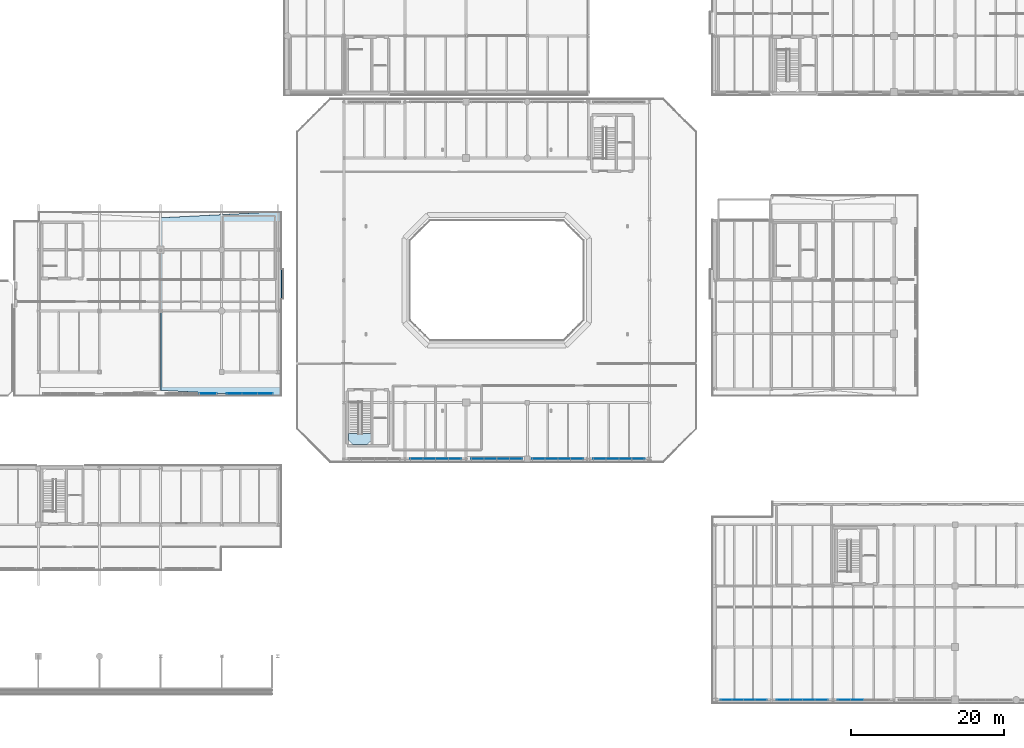
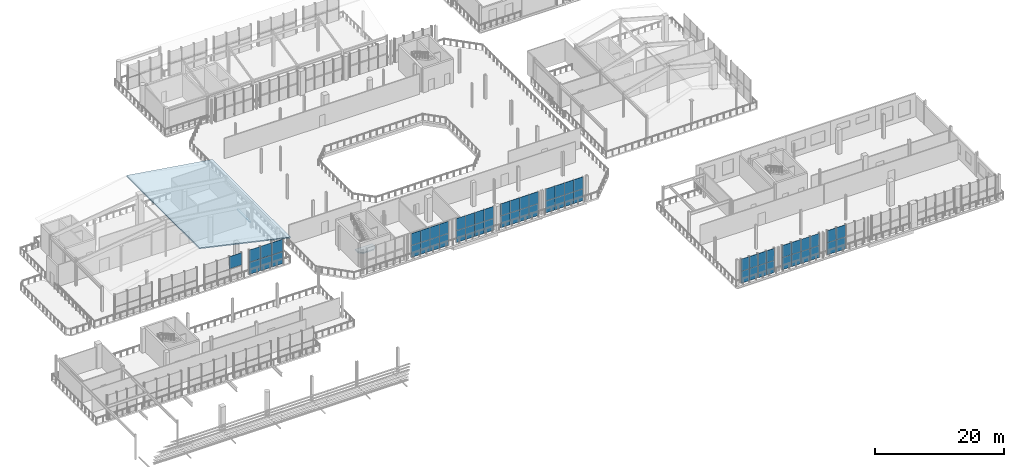
# One storey, part 43 of 70: 59 plates, 3 slabs, 10 elements without a shape of their own.
"""IFC4 building model written with IfcOpenShell, lengths in metres."""

from ifc_helpers import new_model, si_unit, direction, frame, origin, origin_2d, place, context, subcontext, project, spatial, polyline, rectangle, outline, extrude, material, layer, layer_set, type_object, element, aggregate, save


model = new_model("IFC4")

# Units and contexts
model_context = context("Model", 3, precision=1e-05, world=origin(), true_north=direction((0.0, 1.0)))
body_context = subcontext(model_context, "Body", "Model", "MODEL_VIEW")
ifc_project = project(units=[si_unit("LENGTHUNIT", "METRE"), si_unit("AREAUNIT", "SQUARE_METRE"), si_unit("VOLUMEUNIT", "CUBIC_METRE"), si_unit("PLANEANGLEUNIT", "RADIAN"), si_unit("MASSUNIT", "GRAM", prefix="KILO")], contexts=[model_context])

# Site, building, storey
site_placement = place(None, origin())
site = spatial("IfcSite", under=ifc_project, at=site_placement, CompositionType="ELEMENT")
building_placement = place(site_placement, origin())
building = spatial("IfcBuilding", under=site, at=building_placement, Name="Brisemont Oceanarium", CompositionType="ELEMENT")
storey_placement = place(building_placement, frame((0.0, 0.0, 10.199951171875)))
storey = spatial("IfcBuildingStorey", under=building, at=storey_placement, Name="L02", CompositionType="ELEMENT", Elevation=10.199951171875)

# Curtain wall, plate
ifc_material_1 = material(Name="Anodized Extruded Aluminum 6063-T6", Category="aluminium")
curtain_wall_type_1 = type_object("IfcCurtainWallType", Name="CW-GAL-54X42", PredefinedType="NOTDEFINED", material=ifc_material_1)
curtain_wall_1_placement = place(storey_placement, origin())
curtain_wall_1 = element("IfcCurtainWall", 1, at=curtain_wall_1_placement, inside=storey, type_object=curtain_wall_type_1, Name="CW-14 curtain wall CW-V5W-S-L02-03", PredefinedType="NOTDEFINED")
ifc_material_2 = material(Name="Ceramic-Fritted Spandrel Glass", Category="glass")
ifc_layer_1 = layer(ifc_material_2, 0.030029296875)
ifc_layer_set_1 = layer_set([ifc_layer_1], Name="Ceramic-Fritted Spandrel Glass")
plate_type_1 = type_object("IfcPlateType", Name="PLT-CWP-S4", PredefinedType="CURTAIN_PANEL", material=ifc_layer_set_1)
plate_1_placement = place(storey_placement, frame((46.2333984375, 41.199951171875, 2.30126953125), z_axis=(0.0, 0.0, 1.0), x_axis=(1.0, 0.0, 0.0)))
plate_1 = element("IfcPlate", 2, at=plate_1_placement, type_object=plate_type_1, Name="CW-V5W-S-L02-03 panel 3.2", PredefinedType="CURTAIN_PANEL", context=body_context, shape_type="SweptSolid", body=[
    extrude(rectangle(XDim=2.230224609375, YDim=0.030029296875, at=origin_2d()), origin(), (0.0, 0.0, 1.0), 2.297119140625),
])
aggregate(curtain_wall_1, [plate_1])

# Curtain wall, plates
curtain_wall_2_placement = place(storey_placement, origin())
curtain_wall_2 = element("IfcCurtainWall", 3, at=curtain_wall_2_placement, inside=storey, type_object=curtain_wall_type_1, Name="CW-14 curtain wall CW-V5W-S-L02-04", PredefinedType="NOTDEFINED")
plate_2_placement = place(storey_placement, frame((49.658203125, 41.199951171875, 0.00146484375), z_axis=(0.0, 0.0, 1.0), x_axis=(1.0, 0.0, 0.0)))
plate_2 = element("IfcPlate", 4, at=plate_2_placement, type_object=plate_type_1, Name="CW-V5W-S-L02-04 panel 1.1", PredefinedType="CURTAIN_PANEL", context=body_context, shape_type="SweptSolid", body=[
    extrude(rectangle(XDim=2.013671875, YDim=0.030029296875, at=origin_2d()), origin(), (0.0, 0.0, 1.0), 2.297119140625),
])
plate_3_placement = place(storey_placement, frame((49.658203125, 41.199951171875, 2.30126953125), z_axis=(0.0, 0.0, 1.0), x_axis=(1.0, 0.0, 0.0)))
plate_3 = element("IfcPlate", 5, at=plate_3_placement, type_object=plate_type_1, Name="CW-V5W-S-L02-04 panel 1.2", PredefinedType="CURTAIN_PANEL", context=body_context, shape_type="SweptSolid", body=[
    extrude(rectangle(XDim=2.013671875, YDim=0.030029296875, at=origin_2d()), origin(), (0.0, 0.0, 1.0), 2.297119140625),
])
plate_4_placement = place(storey_placement, frame((51.675048828125, 41.199951171875, 0.00146484375), z_axis=(0.0, 0.0, 1.0), x_axis=(1.0, 0.0, 0.0)))
plate_4 = element("IfcPlate", 6, at=plate_4_placement, type_object=plate_type_1, Name="CW-V5W-S-L02-04 panel 2.1", PredefinedType="CURTAIN_PANEL", context=body_context, shape_type="SweptSolid", body=[
    extrude(rectangle(XDim=2.013671875, YDim=0.030029296875, at=origin_2d()), origin(), (0.0, 0.0, 1.0), 2.297119140625),
])
plate_5_placement = place(storey_placement, frame((51.675048828125, 41.199951171875, 2.30126953125), z_axis=(0.0, 0.0, 1.0), x_axis=(1.0, 0.0, 0.0)))
plate_5 = element("IfcPlate", 7, at=plate_5_placement, type_object=plate_type_1, Name="CW-V5W-S-L02-04 panel 2.2", PredefinedType="CURTAIN_PANEL", context=body_context, shape_type="SweptSolid", body=[
    extrude(rectangle(XDim=2.013671875, YDim=0.030029296875, at=origin_2d()), origin(), (0.0, 0.0, 1.0), 2.297119140625),
])
plate_6_placement = place(storey_placement, frame((53.691650390625, 41.199951171875, 0.00146484375), z_axis=(0.0, 0.0, 1.0), x_axis=(1.0, 0.0, 0.0)))
plate_6 = element("IfcPlate", 8, at=plate_6_placement, type_object=plate_type_1, Name="CW-V5W-S-L02-04 panel 3.1", PredefinedType="CURTAIN_PANEL", context=body_context, shape_type="SweptSolid", body=[
    extrude(rectangle(XDim=2.013671875, YDim=0.030029296875, at=origin_2d()), origin(), (0.0, 0.0, 1.0), 2.297119140625),
])
plate_7_placement = place(storey_placement, frame((53.691650390625, 41.199951171875, 2.30126953125), z_axis=(0.0, 0.0, 1.0), x_axis=(1.0, 0.0, 0.0)))
plate_7 = element("IfcPlate", 9, at=plate_7_placement, type_object=plate_type_1, Name="CW-V5W-S-L02-04 panel 3.2", PredefinedType="CURTAIN_PANEL", context=body_context, shape_type="SweptSolid", body=[
    extrude(rectangle(XDim=2.013671875, YDim=0.030029296875, at=origin_2d()), origin(), (0.0, 0.0, 1.0), 2.297119140625),
])
aggregate(curtain_wall_2, [plate_2, plate_3, plate_4, plate_5, plate_6, plate_7])

ifc_material_3 = material(Name="Anodized Extruded Aluminum 6063-T6", Category="aluminium")
curtain_wall_type_2 = type_object("IfcCurtainWallType", Name="CW-ROT-69X45", PredefinedType="NOTDEFINED", material=ifc_material_3)
curtain_wall_3_placement = place(storey_placement, origin())
curtain_wall_3 = element("IfcCurtainWall", 10, at=curtain_wall_3_placement, inside=storey, type_object=curtain_wall_type_2, Name="CW-02 curtain wall CW-V1-S-L02-02", PredefinedType="NOTDEFINED")
ifc_material_4 = material(Name="Insulated Low-E Laminated Glass", Category="glass")
ifc_layer_2 = layer(ifc_material_4, 0.028076171875)
ifc_layer_set_2 = layer_set([ifc_layer_2], Name="Insulated Low-E Laminated Glass")
plate_type_2 = type_object("IfcPlateType", Name="PLT-CWP-V2", PredefinedType="CURTAIN_PANEL", material=ifc_layer_set_2)
plate_8_placement = place(storey_placement, frame((73.487548828125, 32.64990234375, 0.00146484375), z_axis=(0.0, 0.0, 1.0), x_axis=(1.0, 0.0, 0.0)))
plate_8 = element("IfcPlate", 11, at=plate_8_placement, type_object=plate_type_2, Name="CW-V1-S-L02-02 panel 1.1", PredefinedType="CURTAIN_PANEL", context=body_context, shape_type="SweptSolid", body=[
    extrude(rectangle(XDim=1.672119140625, YDim=0.028076171875, at=origin_2d()), origin(), (0.0, 0.0, 1.0), 2.257080078125),
])
plate_9_placement = place(storey_placement, frame((73.487548828125, 32.64990234375, 2.26171875), z_axis=(0.0, 0.0, 1.0), x_axis=(1.0, 0.0, 0.0)))
plate_9 = element("IfcPlate", 12, at=plate_9_placement, type_object=plate_type_2, Name="CW-V1-S-L02-02 panel 1.2", PredefinedType="CURTAIN_PANEL", context=body_context, shape_type="SweptSolid", body=[
    extrude(rectangle(XDim=1.672119140625, YDim=0.028076171875, at=origin_2d()), origin(), (0.0, 0.0, 1.0), 2.257080078125),
])
plate_10_placement = place(storey_placement, frame((75.16259765625, 32.64990234375, 0.00146484375), z_axis=(0.0, 0.0, 1.0), x_axis=(1.0, 0.0, 0.0)))
plate_10 = element("IfcPlate", 13, at=plate_10_placement, type_object=plate_type_2, Name="CW-V1-S-L02-02 panel 2.1", PredefinedType="CURTAIN_PANEL", context=body_context, shape_type="SweptSolid", body=[
    extrude(rectangle(XDim=1.672119140625, YDim=0.028076171875, at=origin_2d()), origin(), (0.0, 0.0, 1.0), 2.257080078125),
])
plate_11_placement = place(storey_placement, frame((75.16259765625, 32.64990234375, 2.26171875), z_axis=(0.0, 0.0, 1.0), x_axis=(1.0, 0.0, 0.0)))
plate_11 = element("IfcPlate", 14, at=plate_11_placement, type_object=plate_type_2, Name="CW-V1-S-L02-02 panel 2.2", PredefinedType="CURTAIN_PANEL", context=body_context, shape_type="SweptSolid", body=[
    extrude(rectangle(XDim=1.672119140625, YDim=0.028076171875, at=origin_2d()), origin(), (0.0, 0.0, 1.0), 2.257080078125),
])
plate_12_placement = place(storey_placement, frame((76.83740234375, 32.64990234375, 0.00146484375), z_axis=(0.0, 0.0, 1.0), x_axis=(1.0, 0.0, 0.0)))
plate_12 = element("IfcPlate", 15, at=plate_12_placement, type_object=plate_type_2, Name="CW-V1-S-L02-02 panel 3.1", PredefinedType="CURTAIN_PANEL", context=body_context, shape_type="SweptSolid", body=[
    extrude(rectangle(XDim=1.672119140625, YDim=0.028076171875, at=origin_2d()), origin(), (0.0, 0.0, 1.0), 2.257080078125),
])
plate_13_placement = place(storey_placement, frame((76.83740234375, 32.64990234375, 2.26171875), z_axis=(0.0, 0.0, 1.0), x_axis=(1.0, 0.0, 0.0)))
plate_13 = element("IfcPlate", 16, at=plate_13_placement, type_object=plate_type_2, Name="CW-V1-S-L02-02 panel 3.2", PredefinedType="CURTAIN_PANEL", context=body_context, shape_type="SweptSolid", body=[
    extrude(rectangle(XDim=1.672119140625, YDim=0.028076171875, at=origin_2d()), origin(), (0.0, 0.0, 1.0), 2.257080078125),
])
plate_14_placement = place(storey_placement, frame((78.512451171875, 32.64990234375, 0.00146484375), z_axis=(0.0, 0.0, 1.0), x_axis=(1.0, 0.0, 0.0)))
plate_14 = element("IfcPlate", 17, at=plate_14_placement, type_object=plate_type_2, Name="CW-V1-S-L02-02 panel 4.1", PredefinedType="CURTAIN_PANEL", context=body_context, shape_type="SweptSolid", body=[
    extrude(rectangle(XDim=1.672119140625, YDim=0.028076171875, at=origin_2d()), origin(), (0.0, 0.0, 1.0), 2.257080078125),
])
plate_15_placement = place(storey_placement, frame((78.512451171875, 32.64990234375, 2.26171875), z_axis=(0.0, 0.0, 1.0), x_axis=(1.0, 0.0, 0.0)))
plate_15 = element("IfcPlate", 18, at=plate_15_placement, type_object=plate_type_2, Name="CW-V1-S-L02-02 panel 4.2", PredefinedType="CURTAIN_PANEL", context=body_context, shape_type="SweptSolid", body=[
    extrude(rectangle(XDim=1.672119140625, YDim=0.028076171875, at=origin_2d()), origin(), (0.0, 0.0, 1.0), 2.257080078125),
])
aggregate(curtain_wall_3, [plate_8, plate_9, plate_10, plate_11, plate_12, plate_13, plate_14, plate_15])

curtain_wall_4_placement = place(storey_placement, origin())
curtain_wall_4 = element("IfcCurtainWall", 19, at=curtain_wall_4_placement, inside=storey, type_object=curtain_wall_type_2, Name="CW-02 curtain wall CW-V1-S-L02-03", PredefinedType="NOTDEFINED")
plate_16_placement = place(storey_placement, frame((81.487548828125, 32.64990234375, 0.00146484375), z_axis=(0.0, 0.0, 1.0), x_axis=(1.0, 0.0, 0.0)))
plate_16 = element("IfcPlate", 20, at=plate_16_placement, type_object=plate_type_2, Name="CW-V1-S-L02-03 panel 1.1", PredefinedType="CURTAIN_PANEL", context=body_context, shape_type="SweptSolid", body=[
    extrude(rectangle(XDim=1.672119140625, YDim=0.028076171875, at=origin_2d()), origin(), (0.0, 0.0, 1.0), 2.257080078125),
])
plate_17_placement = place(storey_placement, frame((81.487548828125, 32.64990234375, 2.26171875), z_axis=(0.0, 0.0, 1.0), x_axis=(1.0, 0.0, 0.0)))
plate_17 = element("IfcPlate", 21, at=plate_17_placement, type_object=plate_type_2, Name="CW-V1-S-L02-03 panel 1.2", PredefinedType="CURTAIN_PANEL", context=body_context, shape_type="SweptSolid", body=[
    extrude(rectangle(XDim=1.672119140625, YDim=0.028076171875, at=origin_2d()), origin(), (0.0, 0.0, 1.0), 2.257080078125),
])
plate_18_placement = place(storey_placement, frame((83.16259765625, 32.64990234375, 0.00146484375), z_axis=(0.0, 0.0, 1.0), x_axis=(1.0, 0.0, 0.0)))
plate_18 = element("IfcPlate", 22, at=plate_18_placement, type_object=plate_type_2, Name="CW-V1-S-L02-03 panel 2.1", PredefinedType="CURTAIN_PANEL", context=body_context, shape_type="SweptSolid", body=[
    extrude(rectangle(XDim=1.672119140625, YDim=0.028076171875, at=origin_2d()), origin(), (0.0, 0.0, 1.0), 2.257080078125),
])
plate_19_placement = place(storey_placement, frame((83.16259765625, 32.64990234375, 2.26171875), z_axis=(0.0, 0.0, 1.0), x_axis=(1.0, 0.0, 0.0)))
plate_19 = element("IfcPlate", 23, at=plate_19_placement, type_object=plate_type_2, Name="CW-V1-S-L02-03 panel 2.2", PredefinedType="CURTAIN_PANEL", context=body_context, shape_type="SweptSolid", body=[
    extrude(rectangle(XDim=1.672119140625, YDim=0.028076171875, at=origin_2d()), origin(), (0.0, 0.0, 1.0), 2.257080078125),
])
plate_20_placement = place(storey_placement, frame((84.83740234375, 32.64990234375, 0.00146484375), z_axis=(0.0, 0.0, 1.0), x_axis=(1.0, 0.0, 0.0)))
plate_20 = element("IfcPlate", 24, at=plate_20_placement, type_object=plate_type_2, Name="CW-V1-S-L02-03 panel 3.1", PredefinedType="CURTAIN_PANEL", context=body_context, shape_type="SweptSolid", body=[
    extrude(rectangle(XDim=1.672119140625, YDim=0.028076171875, at=origin_2d()), origin(), (0.0, 0.0, 1.0), 2.257080078125),
])
plate_21_placement = place(storey_placement, frame((84.83740234375, 32.64990234375, 2.26171875), z_axis=(0.0, 0.0, 1.0), x_axis=(1.0, 0.0, 0.0)))
plate_21 = element("IfcPlate", 25, at=plate_21_placement, type_object=plate_type_2, Name="CW-V1-S-L02-03 panel 3.2", PredefinedType="CURTAIN_PANEL", context=body_context, shape_type="SweptSolid", body=[
    extrude(rectangle(XDim=1.672119140625, YDim=0.028076171875, at=origin_2d()), origin(), (0.0, 0.0, 1.0), 2.257080078125),
])
plate_22_placement = place(storey_placement, frame((86.512451171875, 32.64990234375, 0.00146484375), z_axis=(0.0, 0.0, 1.0), x_axis=(1.0, 0.0, 0.0)))
plate_22 = element("IfcPlate", 26, at=plate_22_placement, type_object=plate_type_2, Name="CW-V1-S-L02-03 panel 4.1", PredefinedType="CURTAIN_PANEL", context=body_context, shape_type="SweptSolid", body=[
    extrude(rectangle(XDim=1.672119140625, YDim=0.028076171875, at=origin_2d()), origin(), (0.0, 0.0, 1.0), 2.257080078125),
])
plate_23_placement = place(storey_placement, frame((86.512451171875, 32.64990234375, 2.26171875), z_axis=(0.0, 0.0, 1.0), x_axis=(1.0, 0.0, 0.0)))
plate_23 = element("IfcPlate", 27, at=plate_23_placement, type_object=plate_type_2, Name="CW-V1-S-L02-03 panel 4.2", PredefinedType="CURTAIN_PANEL", context=body_context, shape_type="SweptSolid", body=[
    extrude(rectangle(XDim=1.672119140625, YDim=0.028076171875, at=origin_2d()), origin(), (0.0, 0.0, 1.0), 2.257080078125),
])
aggregate(curtain_wall_4, [plate_16, plate_17, plate_18, plate_19, plate_20, plate_21, plate_22, plate_23])

curtain_wall_5_placement = place(storey_placement, origin())
curtain_wall_5 = element("IfcCurtainWall", 28, at=curtain_wall_5_placement, inside=storey, type_object=curtain_wall_type_2, Name="CW-02 curtain wall CW-V1-S-L02-04", PredefinedType="NOTDEFINED")
plate_24_placement = place(storey_placement, frame((89.487548828125, 32.64990234375, 0.00146484375), z_axis=(0.0, 0.0, 1.0), x_axis=(1.0, 0.0, 0.0)))
plate_24 = element("IfcPlate", 29, at=plate_24_placement, type_object=plate_type_2, Name="CW-V1-S-L02-04 panel 1.1", PredefinedType="CURTAIN_PANEL", context=body_context, shape_type="SweptSolid", body=[
    extrude(rectangle(XDim=1.672119140625, YDim=0.028076171875, at=origin_2d()), origin(), (0.0, 0.0, 1.0), 2.257080078125),
])
plate_25_placement = place(storey_placement, frame((89.487548828125, 32.64990234375, 2.26171875), z_axis=(0.0, 0.0, 1.0), x_axis=(1.0, 0.0, 0.0)))
plate_25 = element("IfcPlate", 30, at=plate_25_placement, type_object=plate_type_2, Name="CW-V1-S-L02-04 panel 1.2", PredefinedType="CURTAIN_PANEL", context=body_context, shape_type="SweptSolid", body=[
    extrude(rectangle(XDim=1.672119140625, YDim=0.028076171875, at=origin_2d()), origin(), (0.0, 0.0, 1.0), 2.257080078125),
])
plate_26_placement = place(storey_placement, frame((91.16259765625, 32.64990234375, 0.00146484375), z_axis=(0.0, 0.0, 1.0), x_axis=(1.0, 0.0, 0.0)))
plate_26 = element("IfcPlate", 31, at=plate_26_placement, type_object=plate_type_2, Name="CW-V1-S-L02-04 panel 2.1", PredefinedType="CURTAIN_PANEL", context=body_context, shape_type="SweptSolid", body=[
    extrude(rectangle(XDim=1.672119140625, YDim=0.028076171875, at=origin_2d()), origin(), (0.0, 0.0, 1.0), 2.257080078125),
])
plate_27_placement = place(storey_placement, frame((91.16259765625, 32.64990234375, 2.26171875), z_axis=(0.0, 0.0, 1.0), x_axis=(1.0, 0.0, 0.0)))
plate_27 = element("IfcPlate", 32, at=plate_27_placement, type_object=plate_type_2, Name="CW-V1-S-L02-04 panel 2.2", PredefinedType="CURTAIN_PANEL", context=body_context, shape_type="SweptSolid", body=[
    extrude(rectangle(XDim=1.672119140625, YDim=0.028076171875, at=origin_2d()), origin(), (0.0, 0.0, 1.0), 2.257080078125),
])
plate_28_placement = place(storey_placement, frame((92.83740234375, 32.64990234375, 0.00146484375), z_axis=(0.0, 0.0, 1.0), x_axis=(1.0, 0.0, 0.0)))
plate_28 = element("IfcPlate", 33, at=plate_28_placement, type_object=plate_type_2, Name="CW-V1-S-L02-04 panel 3.1", PredefinedType="CURTAIN_PANEL", context=body_context, shape_type="SweptSolid", body=[
    extrude(rectangle(XDim=1.672119140625, YDim=0.028076171875, at=origin_2d()), origin(), (0.0, 0.0, 1.0), 2.257080078125),
])
plate_29_placement = place(storey_placement, frame((92.83740234375, 32.64990234375, 2.26171875), z_axis=(0.0, 0.0, 1.0), x_axis=(1.0, 0.0, 0.0)))
plate_29 = element("IfcPlate", 34, at=plate_29_placement, type_object=plate_type_2, Name="CW-V1-S-L02-04 panel 3.2", PredefinedType="CURTAIN_PANEL", context=body_context, shape_type="SweptSolid", body=[
    extrude(rectangle(XDim=1.672119140625, YDim=0.028076171875, at=origin_2d()), origin(), (0.0, 0.0, 1.0), 2.257080078125),
])
plate_30_placement = place(storey_placement, frame((94.512451171875, 32.64990234375, 0.00146484375), z_axis=(0.0, 0.0, 1.0), x_axis=(1.0, 0.0, 0.0)))
plate_30 = element("IfcPlate", 35, at=plate_30_placement, type_object=plate_type_2, Name="CW-V1-S-L02-04 panel 4.1", PredefinedType="CURTAIN_PANEL", context=body_context, shape_type="SweptSolid", body=[
    extrude(rectangle(XDim=1.672119140625, YDim=0.028076171875, at=origin_2d()), origin(), (0.0, 0.0, 1.0), 2.257080078125),
])
plate_31_placement = place(storey_placement, frame((94.512451171875, 32.64990234375, 2.26171875), z_axis=(0.0, 0.0, 1.0), x_axis=(1.0, 0.0, 0.0)))
plate_31 = element("IfcPlate", 36, at=plate_31_placement, type_object=plate_type_2, Name="CW-V1-S-L02-04 panel 4.2", PredefinedType="CURTAIN_PANEL", context=body_context, shape_type="SweptSolid", body=[
    extrude(rectangle(XDim=1.672119140625, YDim=0.028076171875, at=origin_2d()), origin(), (0.0, 0.0, 1.0), 2.257080078125),
])
aggregate(curtain_wall_5, [plate_24, plate_25, plate_26, plate_27, plate_28, plate_29, plate_30, plate_31])

curtain_wall_6_placement = place(storey_placement, origin())
curtain_wall_6 = element("IfcCurtainWall", 37, at=curtain_wall_6_placement, inside=storey, type_object=curtain_wall_type_2, Name="CW-02 curtain wall CW-V1-S-L02-05", PredefinedType="NOTDEFINED")
plate_32_placement = place(storey_placement, frame((97.487548828125, 32.64990234375, 0.00146484375), z_axis=(0.0, 0.0, 1.0), x_axis=(1.0, 0.0, 0.0)))
plate_32 = element("IfcPlate", 38, at=plate_32_placement, type_object=plate_type_2, Name="CW-V1-S-L02-05 panel 1.1", PredefinedType="CURTAIN_PANEL", context=body_context, shape_type="SweptSolid", body=[
    extrude(rectangle(XDim=1.672119140625, YDim=0.028076171875, at=origin_2d()), origin(), (0.0, 0.0, 1.0), 2.257080078125),
])
plate_33_placement = place(storey_placement, frame((97.487548828125, 32.64990234375, 2.26171875), z_axis=(0.0, 0.0, 1.0), x_axis=(1.0, 0.0, 0.0)))
plate_33 = element("IfcPlate", 39, at=plate_33_placement, type_object=plate_type_2, Name="CW-V1-S-L02-05 panel 1.2", PredefinedType="CURTAIN_PANEL", context=body_context, shape_type="SweptSolid", body=[
    extrude(rectangle(XDim=1.672119140625, YDim=0.028076171875, at=origin_2d()), origin(), (0.0, 0.0, 1.0), 2.257080078125),
])
plate_34_placement = place(storey_placement, frame((99.16259765625, 32.64990234375, 0.00146484375), z_axis=(0.0, 0.0, 1.0), x_axis=(1.0, 0.0, 0.0)))
plate_34 = element("IfcPlate", 40, at=plate_34_placement, type_object=plate_type_2, Name="CW-V1-S-L02-05 panel 2.1", PredefinedType="CURTAIN_PANEL", context=body_context, shape_type="SweptSolid", body=[
    extrude(rectangle(XDim=1.672119140625, YDim=0.028076171875, at=origin_2d()), origin(), (0.0, 0.0, 1.0), 2.257080078125),
])
plate_35_placement = place(storey_placement, frame((99.16259765625, 32.64990234375, 2.26171875), z_axis=(0.0, 0.0, 1.0), x_axis=(1.0, 0.0, 0.0)))
plate_35 = element("IfcPlate", 41, at=plate_35_placement, type_object=plate_type_2, Name="CW-V1-S-L02-05 panel 2.2", PredefinedType="CURTAIN_PANEL", context=body_context, shape_type="SweptSolid", body=[
    extrude(rectangle(XDim=1.672119140625, YDim=0.028076171875, at=origin_2d()), origin(), (0.0, 0.0, 1.0), 2.257080078125),
])
plate_36_placement = place(storey_placement, frame((100.83740234375, 32.64990234375, 0.00146484375), z_axis=(0.0, 0.0, 1.0), x_axis=(1.0, 0.0, 0.0)))
plate_36 = element("IfcPlate", 42, at=plate_36_placement, type_object=plate_type_2, Name="CW-V1-S-L02-05 panel 3.1", PredefinedType="CURTAIN_PANEL", context=body_context, shape_type="SweptSolid", body=[
    extrude(rectangle(XDim=1.672119140625, YDim=0.028076171875, at=origin_2d()), origin(), (0.0, 0.0, 1.0), 2.257080078125),
])
plate_37_placement = place(storey_placement, frame((100.83740234375, 32.64990234375, 2.26171875), z_axis=(0.0, 0.0, 1.0), x_axis=(1.0, 0.0, 0.0)))
plate_37 = element("IfcPlate", 43, at=plate_37_placement, type_object=plate_type_2, Name="CW-V1-S-L02-05 panel 3.2", PredefinedType="CURTAIN_PANEL", context=body_context, shape_type="SweptSolid", body=[
    extrude(rectangle(XDim=1.672119140625, YDim=0.028076171875, at=origin_2d()), origin(), (0.0, 0.0, 1.0), 2.257080078125),
])
plate_38_placement = place(storey_placement, frame((102.512451171875, 32.64990234375, 0.00146484375), z_axis=(0.0, 0.0, 1.0), x_axis=(1.0, 0.0, 0.0)))
plate_38 = element("IfcPlate", 44, at=plate_38_placement, type_object=plate_type_2, Name="CW-V1-S-L02-05 panel 4.1", PredefinedType="CURTAIN_PANEL", context=body_context, shape_type="SweptSolid", body=[
    extrude(rectangle(XDim=1.672119140625, YDim=0.028076171875, at=origin_2d()), origin(), (0.0, 0.0, 1.0), 2.257080078125),
])
plate_39_placement = place(storey_placement, frame((102.512451171875, 32.64990234375, 2.26171875), z_axis=(0.0, 0.0, 1.0), x_axis=(1.0, 0.0, 0.0)))
plate_39 = element("IfcPlate", 45, at=plate_39_placement, type_object=plate_type_2, Name="CW-V1-S-L02-05 panel 4.2", PredefinedType="CURTAIN_PANEL", context=body_context, shape_type="SweptSolid", body=[
    extrude(rectangle(XDim=1.672119140625, YDim=0.028076171875, at=origin_2d()), origin(), (0.0, 0.0, 1.0), 2.257080078125),
])
aggregate(curtain_wall_6, [plate_32, plate_33, plate_34, plate_35, plate_36, plate_37, plate_38, plate_39])

ifc_material_5 = material(Name="Anodized Extruded Aluminum 6063-T6", Category="aluminium")
curtain_wall_type_3 = type_object("IfcCurtainWallType", Name="CW-EDU-69X43", PredefinedType="NOTDEFINED", material=ifc_material_5)
curtain_wall_7_placement = place(storey_placement, origin())
curtain_wall_7 = element("IfcCurtainWall", 46, at=curtain_wall_7_placement, inside=storey, type_object=curtain_wall_type_3, Name="CW-09 curtain wall CW-V3-S-L02-01", PredefinedType="NOTDEFINED")
ifc_material_6 = material(Name="Insulated Low-E Laminated Glass", Category="glass")
ifc_layer_3 = layer(ifc_material_6, 0.02587890625)
ifc_layer_set_3 = layer_set([ifc_layer_3], Name="Insulated Low-E Laminated Glass")
plate_type_3 = type_object("IfcPlateType", Name="PLT-CWP-V9", PredefinedType="CURTAIN_PANEL", material=ifc_layer_set_3)
plate_40_placement = place(storey_placement, frame((114.05615234375, 1.10009765625, 0.00146484375), z_axis=(0.0, 0.0, 1.0), x_axis=(1.0, 0.0, 0.0)))
plate_40 = element("IfcPlate", 47, at=plate_40_placement, type_object=plate_type_3, Name="CW-V3-S-L02-01 panel 1.1", PredefinedType="CURTAIN_PANEL", context=body_context, shape_type="SweptSolid", body=[
    extrude(rectangle(XDim=1.509521484375, YDim=0.02587890625, at=origin_2d()), origin(), (0.0, 0.0, 1.0), 2.277099609375),
])
plate_41_placement = place(storey_placement, frame((114.05615234375, 1.10009765625, 2.28173828125), z_axis=(0.0, 0.0, 1.0), x_axis=(1.0, 0.0, 0.0)))
plate_41 = element("IfcPlate", 48, at=plate_41_placement, type_object=plate_type_3, Name="CW-V3-S-L02-01 panel 1.2", PredefinedType="CURTAIN_PANEL", context=body_context, shape_type="SweptSolid", body=[
    extrude(rectangle(XDim=1.509521484375, YDim=0.02587890625, at=origin_2d()), origin(), (0.0, 0.0, 1.0), 2.277099609375),
])
plate_42_placement = place(storey_placement, frame((115.568603515625, 1.10009765625, 0.00146484375), z_axis=(0.0, 0.0, 1.0), x_axis=(1.0, 0.0, 0.0)))
plate_42 = element("IfcPlate", 49, at=plate_42_placement, type_object=plate_type_3, Name="CW-V3-S-L02-01 panel 2.1", PredefinedType="CURTAIN_PANEL", context=body_context, shape_type="SweptSolid", body=[
    extrude(rectangle(XDim=1.509521484375, YDim=0.02587890625, at=origin_2d()), origin(), (0.0, 0.0, 1.0), 2.277099609375),
])
plate_43_placement = place(storey_placement, frame((115.568603515625, 1.10009765625, 2.28173828125), z_axis=(0.0, 0.0, 1.0), x_axis=(1.0, 0.0, 0.0)))
plate_43 = element("IfcPlate", 50, at=plate_43_placement, type_object=plate_type_3, Name="CW-V3-S-L02-01 panel 2.2", PredefinedType="CURTAIN_PANEL", context=body_context, shape_type="SweptSolid", body=[
    extrude(rectangle(XDim=1.509521484375, YDim=0.02587890625, at=origin_2d()), origin(), (0.0, 0.0, 1.0), 2.277099609375),
])
plate_44_placement = place(storey_placement, frame((117.081298828125, 1.10009765625, 0.00146484375), z_axis=(0.0, 0.0, 1.0), x_axis=(1.0, 0.0, 0.0)))
plate_44 = element("IfcPlate", 51, at=plate_44_placement, type_object=plate_type_3, Name="CW-V3-S-L02-01 panel 3.1", PredefinedType="CURTAIN_PANEL", context=body_context, shape_type="SweptSolid", body=[
    extrude(rectangle(XDim=1.509521484375, YDim=0.02587890625, at=origin_2d()), origin(), (0.0, 0.0, 1.0), 2.277099609375),
])
plate_45_placement = place(storey_placement, frame((117.081298828125, 1.10009765625, 2.28173828125), z_axis=(0.0, 0.0, 1.0), x_axis=(1.0, 0.0, 0.0)))
plate_45 = element("IfcPlate", 52, at=plate_45_placement, type_object=plate_type_3, Name="CW-V3-S-L02-01 panel 3.2", PredefinedType="CURTAIN_PANEL", context=body_context, shape_type="SweptSolid", body=[
    extrude(rectangle(XDim=1.509521484375, YDim=0.02587890625, at=origin_2d()), origin(), (0.0, 0.0, 1.0), 2.277099609375),
])
plate_46_placement = place(storey_placement, frame((118.59375, 1.10009765625, 0.00146484375), z_axis=(0.0, 0.0, 1.0), x_axis=(1.0, 0.0, 0.0)))
plate_46 = element("IfcPlate", 53, at=plate_46_placement, type_object=plate_type_3, Name="CW-V3-S-L02-01 panel 4.1", PredefinedType="CURTAIN_PANEL", context=body_context, shape_type="SweptSolid", body=[
    extrude(rectangle(XDim=1.509521484375, YDim=0.02587890625, at=origin_2d()), origin(), (0.0, 0.0, 1.0), 2.277099609375),
])
plate_47_placement = place(storey_placement, frame((118.59375, 1.10009765625, 2.28173828125), z_axis=(0.0, 0.0, 1.0), x_axis=(1.0, 0.0, 0.0)))
plate_47 = element("IfcPlate", 54, at=plate_47_placement, type_object=plate_type_3, Name="CW-V3-S-L02-01 panel 4.2", PredefinedType="CURTAIN_PANEL", context=body_context, shape_type="SweptSolid", body=[
    extrude(rectangle(XDim=1.509521484375, YDim=0.02587890625, at=origin_2d()), origin(), (0.0, 0.0, 1.0), 2.277099609375),
])
aggregate(curtain_wall_7, [plate_40, plate_41, plate_42, plate_43, plate_44, plate_45, plate_46, plate_47])

curtain_wall_8_placement = place(storey_placement, origin())
curtain_wall_8 = element("IfcCurtainWall", 55, at=curtain_wall_8_placement, inside=storey, type_object=curtain_wall_type_3, Name="CW-09 curtain wall CW-V3-S-L02-02", PredefinedType="NOTDEFINED")
plate_48_placement = place(storey_placement, frame((121.487548828125, 1.10009765625, 0.00146484375), z_axis=(0.0, 0.0, 1.0), x_axis=(1.0, 0.0, 0.0)))
plate_48 = element("IfcPlate", 56, at=plate_48_placement, type_object=plate_type_3, Name="CW-V3-S-L02-02 panel 1.1", PredefinedType="CURTAIN_PANEL", context=body_context, shape_type="SweptSolid", body=[
    extrude(rectangle(XDim=1.672119140625, YDim=0.02587890625, at=origin_2d()), origin(), (0.0, 0.0, 1.0), 2.277099609375),
])
plate_49_placement = place(storey_placement, frame((121.487548828125, 1.10009765625, 2.28173828125), z_axis=(0.0, 0.0, 1.0), x_axis=(1.0, 0.0, 0.0)))
plate_49 = element("IfcPlate", 57, at=plate_49_placement, type_object=plate_type_3, Name="CW-V3-S-L02-02 panel 1.2", PredefinedType="CURTAIN_PANEL", context=body_context, shape_type="SweptSolid", body=[
    extrude(rectangle(XDim=1.672119140625, YDim=0.02587890625, at=origin_2d()), origin(), (0.0, 0.0, 1.0), 2.277099609375),
])
plate_50_placement = place(storey_placement, frame((123.16259765625, 1.10009765625, 0.00146484375), z_axis=(0.0, 0.0, 1.0), x_axis=(1.0, 0.0, 0.0)))
plate_50 = element("IfcPlate", 58, at=plate_50_placement, type_object=plate_type_3, Name="CW-V3-S-L02-02 panel 2.1", PredefinedType="CURTAIN_PANEL", context=body_context, shape_type="SweptSolid", body=[
    extrude(rectangle(XDim=1.672119140625, YDim=0.02587890625, at=origin_2d()), origin(), (0.0, 0.0, 1.0), 2.277099609375),
])
plate_51_placement = place(storey_placement, frame((123.16259765625, 1.10009765625, 2.28173828125), z_axis=(0.0, 0.0, 1.0), x_axis=(1.0, 0.0, 0.0)))
plate_51 = element("IfcPlate", 59, at=plate_51_placement, type_object=plate_type_3, Name="CW-V3-S-L02-02 panel 2.2", PredefinedType="CURTAIN_PANEL", context=body_context, shape_type="SweptSolid", body=[
    extrude(rectangle(XDim=1.672119140625, YDim=0.02587890625, at=origin_2d()), origin(), (0.0, 0.0, 1.0), 2.277099609375),
])
plate_52_placement = place(storey_placement, frame((124.83740234375, 1.10009765625, 0.00146484375), z_axis=(0.0, 0.0, 1.0), x_axis=(1.0, 0.0, 0.0)))
plate_52 = element("IfcPlate", 60, at=plate_52_placement, type_object=plate_type_3, Name="CW-V3-S-L02-02 panel 3.1", PredefinedType="CURTAIN_PANEL", context=body_context, shape_type="SweptSolid", body=[
    extrude(rectangle(XDim=1.672119140625, YDim=0.02587890625, at=origin_2d()), origin(), (0.0, 0.0, 1.0), 2.277099609375),
])
plate_53_placement = place(storey_placement, frame((124.83740234375, 1.10009765625, 2.28173828125), z_axis=(0.0, 0.0, 1.0), x_axis=(1.0, 0.0, 0.0)))
plate_53 = element("IfcPlate", 61, at=plate_53_placement, type_object=plate_type_3, Name="CW-V3-S-L02-02 panel 3.2", PredefinedType="CURTAIN_PANEL", context=body_context, shape_type="SweptSolid", body=[
    extrude(rectangle(XDim=1.672119140625, YDim=0.02587890625, at=origin_2d()), origin(), (0.0, 0.0, 1.0), 2.277099609375),
])
plate_54_placement = place(storey_placement, frame((126.512451171875, 1.10009765625, 0.00146484375), z_axis=(0.0, 0.0, 1.0), x_axis=(1.0, 0.0, 0.0)))
plate_54 = element("IfcPlate", 62, at=plate_54_placement, type_object=plate_type_3, Name="CW-V3-S-L02-02 panel 4.1", PredefinedType="CURTAIN_PANEL", context=body_context, shape_type="SweptSolid", body=[
    extrude(rectangle(XDim=1.672119140625, YDim=0.02587890625, at=origin_2d()), origin(), (0.0, 0.0, 1.0), 2.277099609375),
])
plate_55_placement = place(storey_placement, frame((126.512451171875, 1.10009765625, 2.28173828125), z_axis=(0.0, 0.0, 1.0), x_axis=(1.0, 0.0, 0.0)))
plate_55 = element("IfcPlate", 63, at=plate_55_placement, type_object=plate_type_3, Name="CW-V3-S-L02-02 panel 4.2", PredefinedType="CURTAIN_PANEL", context=body_context, shape_type="SweptSolid", body=[
    extrude(rectangle(XDim=1.672119140625, YDim=0.02587890625, at=origin_2d()), origin(), (0.0, 0.0, 1.0), 2.277099609375),
])
aggregate(curtain_wall_8, [plate_48, plate_49, plate_50, plate_51, plate_52, plate_53, plate_54, plate_55])

curtain_wall_9_placement = place(storey_placement, origin())
curtain_wall_9 = element("IfcCurtainWall", 64, at=curtain_wall_9_placement, inside=storey, type_object=curtain_wall_type_3, Name="CW-09 curtain wall CW-V3-S-L02-03", PredefinedType="NOTDEFINED")
plate_56_placement = place(storey_placement, frame((129.487548828125, 1.10009765625, 0.00146484375), z_axis=(0.0, 0.0, 1.0), x_axis=(1.0, 0.0, 0.0)))
plate_56 = element("IfcPlate", 65, at=plate_56_placement, type_object=plate_type_3, Name="CW-V3-S-L02-03 panel 1.1", PredefinedType="CURTAIN_PANEL", context=body_context, shape_type="SweptSolid", body=[
    extrude(rectangle(XDim=1.672119140625, YDim=0.02587890625, at=origin_2d()), origin(), (0.0, 0.0, 1.0), 2.277099609375),
])
plate_57_placement = place(storey_placement, frame((129.487548828125, 1.10009765625, 2.28173828125), z_axis=(0.0, 0.0, 1.0), x_axis=(1.0, 0.0, 0.0)))
plate_57 = element("IfcPlate", 66, at=plate_57_placement, type_object=plate_type_3, Name="CW-V3-S-L02-03 panel 1.2", PredefinedType="CURTAIN_PANEL", context=body_context, shape_type="SweptSolid", body=[
    extrude(rectangle(XDim=1.672119140625, YDim=0.02587890625, at=origin_2d()), origin(), (0.0, 0.0, 1.0), 2.277099609375),
])
plate_58_placement = place(storey_placement, frame((131.16259765625, 1.10009765625, 0.00146484375), z_axis=(0.0, 0.0, 1.0), x_axis=(1.0, 0.0, 0.0)))
plate_58 = element("IfcPlate", 67, at=plate_58_placement, type_object=plate_type_3, Name="CW-V3-S-L02-03 panel 2.1", PredefinedType="CURTAIN_PANEL", context=body_context, shape_type="SweptSolid", body=[
    extrude(rectangle(XDim=1.672119140625, YDim=0.02587890625, at=origin_2d()), origin(), (0.0, 0.0, 1.0), 2.277099609375),
])
plate_59_placement = place(storey_placement, frame((131.16259765625, 1.10009765625, 2.28173828125), z_axis=(0.0, 0.0, 1.0), x_axis=(1.0, 0.0, 0.0)))
plate_59 = element("IfcPlate", 68, at=plate_59_placement, type_object=plate_type_3, Name="CW-V3-S-L02-03 panel 2.2", PredefinedType="CURTAIN_PANEL", context=body_context, shape_type="SweptSolid", body=[
    extrude(rectangle(XDim=1.672119140625, YDim=0.02587890625, at=origin_2d()), origin(), (0.0, 0.0, 1.0), 2.277099609375),
])
aggregate(curtain_wall_9, [plate_56, plate_57, plate_58, plate_59])

# Slab
ifc_material_7 = material(Name="Concrete C35/45", Category="concrete")
ifc_layer_4 = layer(ifc_material_7, 0.239990234375)
ifc_layer_set_4 = layer_set([ifc_layer_4], Name="Concrete C35/45")
slab_type_1 = type_object("IfcSlabType", Name="SLB-FLR-240", PredefinedType="FLOOR", material=ifc_layer_set_4)
slab_1_placement = place(storey_placement, frame((0.0, 0.0, -0.239990234375)))
element("IfcSlab", 69, at=slab_1_placement, inside=storey, type_object=slab_type_1, Name="SB_SB-03 L02 floor slab", PredefinedType="FLOOR", context=body_context, shape_type="SweptSolid", body=[
    extrude(outline(polyline([(55.889892578125, 53.5), (56.110107421875, 53.5), (56.14990234375, 53.5400390625), (56.14990234375, 57.4599609375), (56.110107421875, 57.5), (55.889892578125, 57.5), (55.85009765625, 57.4599609375), (55.85009765625, 53.5400390625), (55.889892578125, 53.5)])), origin(), (0.0, 0.0, 1.0), 0.239990234375),
])

# Stair, slab
ifc_material_8 = material(Name="Concrete C40/50", Category="concrete")
stair_type = type_object("IfcStairType", Name="STR-CORE-124-48", PredefinedType="HALF_TURN_STAIR", material=ifc_material_8)
stair_placement = place(storey_placement, origin())
stair = element("IfcStair", 70, at=stair_placement, inside=storey, type_object=stair_type, Name="Exit stair ST-01 L02 to L03", PredefinedType="HALF_TURN_STAIR")
ifc_material_9 = material(Name="Concrete C40/50", Category="concrete")
ifc_layer_5 = layer(ifc_material_9, 0.219970703125)
ifc_layer_set_5 = layer_set([ifc_layer_5], Name="Concrete C40/50")
slab_type_2 = type_object("IfcSlabType", Name="SLB-LANDING-220", PredefinedType="LANDING", material=ifc_layer_set_5)
slab_2_placement = place(storey_placement, frame((0.0, 0.0, 2.179931640625)))
slab_2 = element("IfcSlab", 71, at=slab_2_placement, type_object=slab_type_2, Name="ST-01 L02 half-landing", PredefinedType="LANDING", context=body_context, shape_type="SweptSolid", body=[
    extrude(outline(polyline([(65.1201171875, 34.530029296875), (67.10009765625, 34.530029296875), (67.64990234375, 35.080078125), (67.64990234375, 35.9599609375), (64.570068359375, 35.9599609375), (64.570068359375, 35.080078125), (65.1201171875, 34.530029296875)])), origin(), (0.0, 0.0, 1.0), 0.22021484375),
])
aggregate(stair, [slab_2])

# Slab
ifc_material_10 = material(Name="Concrete C35/45", Category="concrete")
ifc_layer_6 = layer(ifc_material_10, 0.199951171875)
ifc_layer_set_6 = layer_set([ifc_layer_6], Name="Concrete C35/45")
slab_type_3 = type_object("IfcSlabType", Name="SLB-RF-200", PredefinedType="ROOF", material=ifc_layer_set_6)
slab_3_placement = place(storey_placement, frame((40.0400390625, 41.60009765625, 7.800048828125), z_axis=(0.186426063051, 0.0, 0.982468993412), x_axis=(0.981257033087, -0.049655321311, -0.186196090407)))
element("IfcSlab", 72, at=slab_3_placement, inside=storey, type_object=slab_type_3, Name="V5W pitched roof E slope", PredefinedType="ROOF", context=body_context, shape_type="SweptSolid", body=[
    extrude(outline(polyline([(0.0, 0.0), (16.11204614148037, -2.7755575615628914e-17), (14.91038979034222, 24.170098442805394), (-1.1222029878888597, 22.571974645158566), (0.0, 0.0)])), origin(), (0.0, 0.0, -1.0), 0.199951171875),
])

save(model, "model.ifc")
